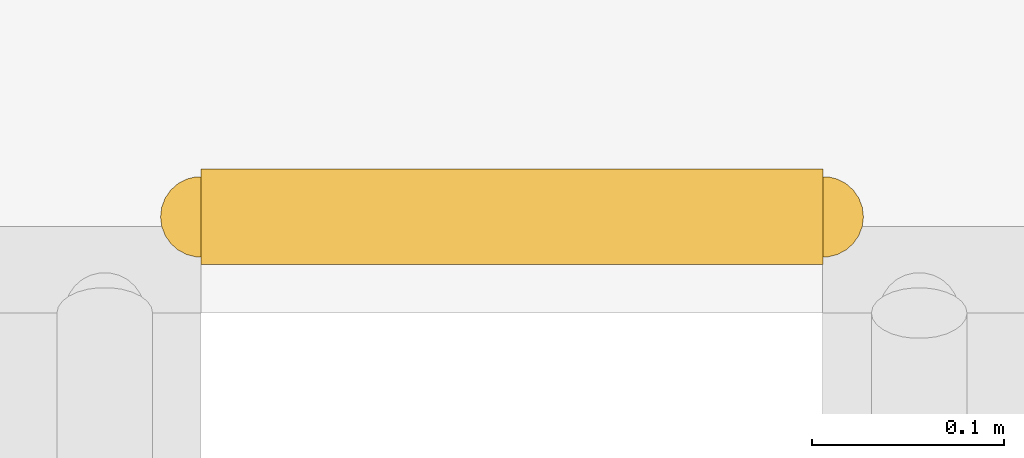
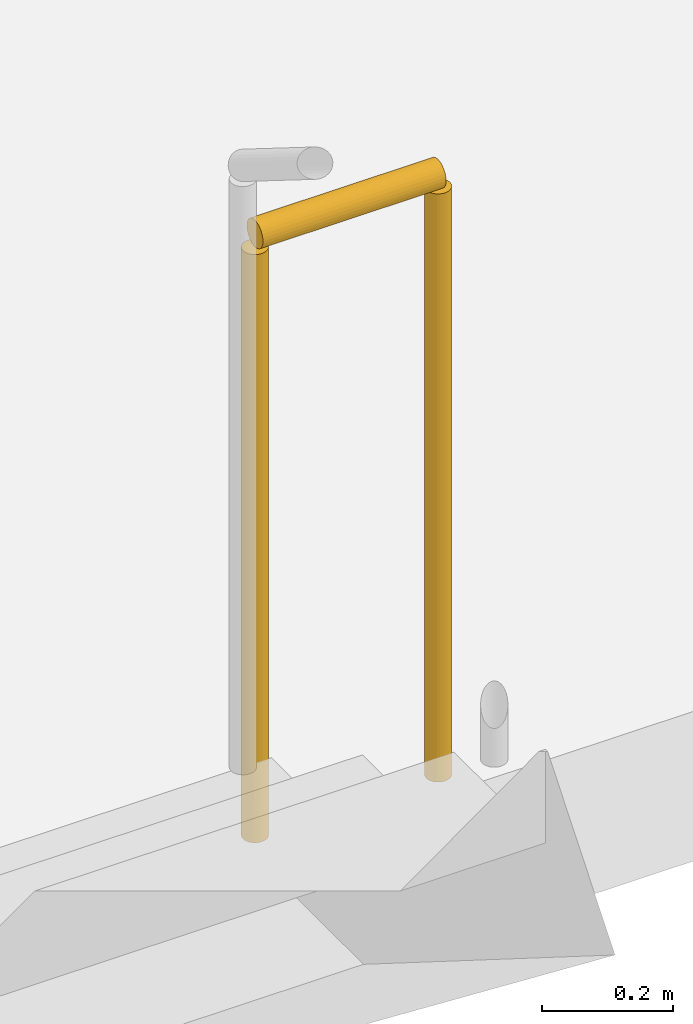
# One storey, part 13 of 14: 1 railing.
"""IFC4 building model written with IfcOpenShell, lengths in metres."""

from ifc_helpers import new_model, si_unit, direction, frame, origin, origin_2d, place, context, subcontext, project, spatial, circle, extrude, material, type_object, element, save


model = new_model("IFC4")

# Units and contexts
model_context = context("Model", 3, precision=1e-05, world=origin(), true_north=direction((0.0, 1.0)))
body_context = subcontext(model_context, "Body", "Model", "MODEL_VIEW")
ifc_project = project(units=[si_unit("LENGTHUNIT", "METRE"), si_unit("AREAUNIT", "SQUARE_METRE"), si_unit("VOLUMEUNIT", "CUBIC_METRE"), si_unit("PLANEANGLEUNIT", "RADIAN"), si_unit("MASSUNIT", "GRAM", prefix="KILO")], contexts=[model_context])

# Site, building, storey
site_placement = place(None, origin())
site = spatial("IfcSite", under=ifc_project, at=site_placement, CompositionType="ELEMENT")
building_placement = place(site_placement, origin())
building = spatial("IfcBuilding", under=site, at=building_placement, Name="Velakula Bourse", CompositionType="ELEMENT")
storey_placement = place(building_placement, frame((0.0, 0.0, 116.64990234375)))
storey = spatial("IfcBuildingStorey", under=building, at=storey_placement, Name="L31", CompositionType="ELEMENT", Elevation=116.64990234375)

# Railing
ifc_material = material(Name="Brushed grade 316 stainless steel", Category="steel")
railing_type = type_object("IfcRailingType", Name="RLG-STAIR-GUARD-1150", PredefinedType="BALUSTRADE", material=ifc_material)
railing_placement = place(storey_placement, frame((15.298095703125, -2.14990234375, 0.0)))
element("IfcRailing", 1, at=railing_placement, inside=storey, type_object=railing_type, Name="L31 ST-E1 stair guard 4", PredefinedType="BALUSTRADE", context=body_context, shape_type="SweptSolid", body=[
    extrude(circle(Radius=0.02490234375, at=origin_2d()), frame((0.0, 0.0, 1.125), z_axis=(1.0, 0.0, 0.0), x_axis=(0.0, 1.0, 0.0)), (0.0, 0.0, 1.0), 0.323974609375),
    extrude(circle(Radius=0.02099609375, at=origin_2d()), origin(), (0.0, 0.0, 1.0), 1.099853515625),
    extrude(circle(Radius=0.02099609375, at=origin_2d()), frame((0.323974609375, 0.0, 0.0)), (0.0, 0.0, 1.0), 1.099853515625),
])

save(model, "model.ifc")
